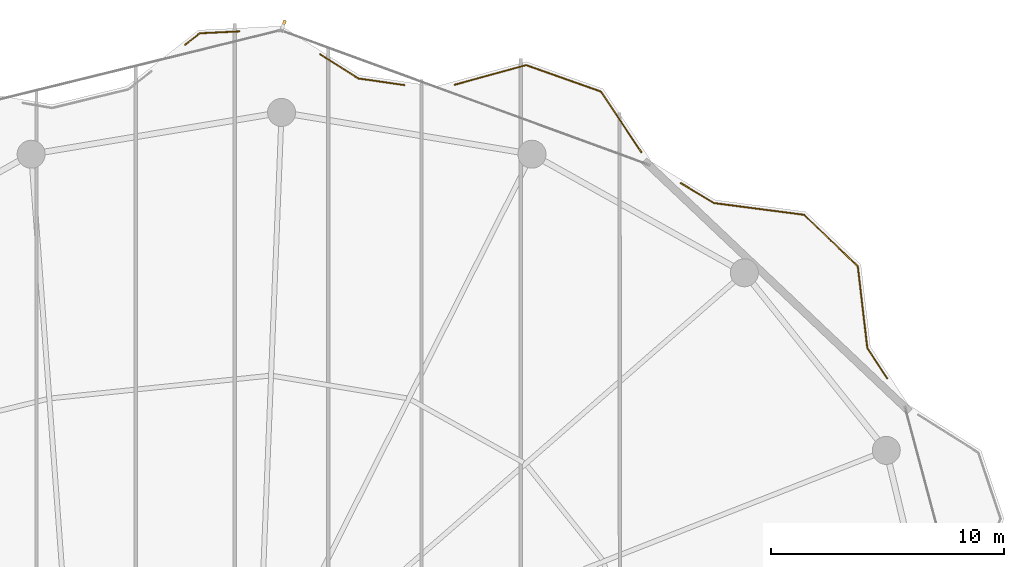
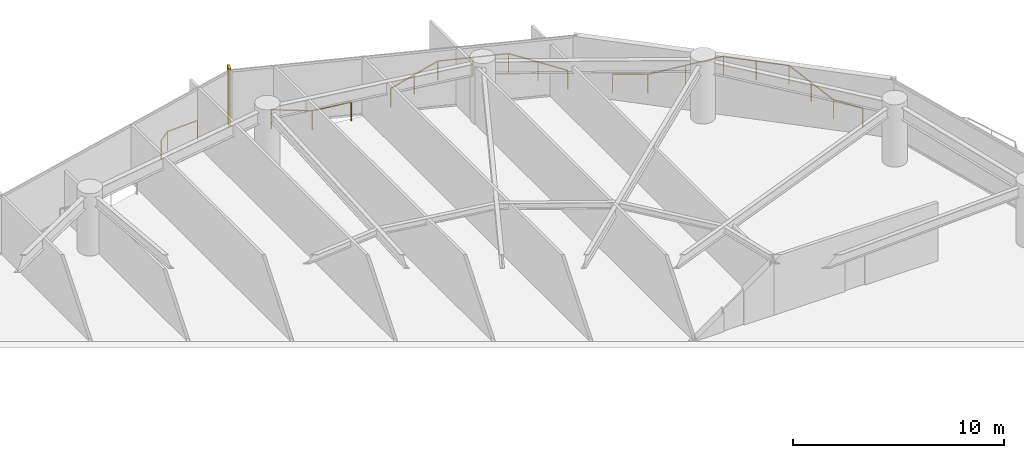
# One storey, part 28 of 28: 4 railings, 1 shading device.
"""IFC4 building model written with IfcOpenShell, lengths in metres."""

from ifc_helpers import new_model, si_unit, direction, frame, origin, origin_2d, place, context, subcontext, project, spatial, rectangle, extrude, material, type_object, element, save


model = new_model("IFC4")

# Units and contexts
model_context = context("Model", 3, precision=1e-05, world=origin(), true_north=direction((0.0, 1.0)))
body_context = subcontext(model_context, "Body", "Model", "MODEL_VIEW")
ifc_project = project(units=[si_unit("LENGTHUNIT", "METRE"), si_unit("AREAUNIT", "SQUARE_METRE"), si_unit("VOLUMEUNIT", "CUBIC_METRE"), si_unit("PLANEANGLEUNIT", "RADIAN"), si_unit("MASSUNIT", "GRAM", prefix="KILO")], contexts=[model_context])

# Site, building, storey
site_placement = place(None, origin())
site = spatial("IfcSite", under=ifc_project, at=site_placement, CompositionType="ELEMENT")
building_placement = place(site_placement, origin())
building = spatial("IfcBuilding", under=site, at=building_placement, Name="Kazevale Care Tower and Concert Hall", CompositionType="ELEMENT")
storey_placement = place(building_placement, frame((0.0, 0.0, 138.60009765625)))
storey = spatial("IfcBuildingStorey", under=building, at=storey_placement, Name="L36", CompositionType="ELEMENT", Elevation=138.60009765625)

# Railings
ifc_material_1 = material(Name="Anodised Bronze Aluminium and Laminated Glass", Category="aluminium")
railing_type = type_object("IfcRailingType", Name="Balcony and Terrace Balustrade 1120", PredefinedType="BALUSTRADE", material=ifc_material_1)
railing_1_placement = place(storey_placement, frame((40.875, 64.35400390625, 0.0)))
element("IfcRailing", 1, at=railing_1_placement, inside=storey, type_object=railing_type, Name="rail:L36:perim:6", PredefinedType="BALUSTRADE", context=body_context, shape_type="SweptSolid", body=[
    extrude(rectangle(XDim=0.048095703125, YDim=0.048095703125, at=origin_2d()), frame((0.0, 0.0, 1.09619140625), z_axis=(0.786296888073, 0.61784885191, 0.0), x_axis=(-0.61784885191, 0.786296888073, 0.0)), (0.0, 0.0, 1.0), 0.789794921875),
    extrude(rectangle(XDim=0.048095703125, YDim=0.048095703125, at=origin_2d()), frame((0.62109375, 0.488037109375, 1.09619140625), z_axis=(0.998846104171, 0.04802562007, 0.0), x_axis=(-0.04802562007, 0.998846104171, 0.0)), (0.0, 0.0, 1.0), 1.687744140625),
    extrude(rectangle(XDim=0.0419921875, YDim=0.0419921875, at=origin_2d()), origin(), (0.0, 0.0, 1.0), 1.072021484375),
    extrude(rectangle(XDim=0.0419921875, YDim=0.0419921875, at=origin_2d()), frame((0.62109375, 0.488037109375, 0.0)), (0.0, 0.0, 1.0), 1.072021484375),
    extrude(rectangle(XDim=0.0419921875, YDim=0.0419921875, at=origin_2d()), frame((2.306884765625, 0.569091796875, 0.0)), (0.0, 0.0, 1.0), 1.072021484375),
])
railing_2_placement = place(storey_placement, frame((46.64794921875, 63.943115234375, 0.0)))
element("IfcRailing", 2, at=railing_2_placement, inside=storey, type_object=railing_type, Name="rail:L36:perim:7", PredefinedType="BALUSTRADE", context=body_context, shape_type="SweptSolid", body=[
    extrude(rectangle(XDim=0.048095703125, YDim=0.048095703125, at=origin_2d()), frame((0.0, 0.0, 1.09619140625), z_axis=(0.845285408951, -0.534315054452, 0.0), x_axis=(0.534315054452, 0.845285408951, 0.0)), (0.0, 0.0, 1.0), 1.939208984375),
    extrude(rectangle(XDim=0.048095703125, YDim=0.048095703125, at=origin_2d()), frame((1.63916015625, -1.0361328125, 1.09619140625), z_axis=(0.989851165492, -0.142107952534, 0.0), x_axis=(0.142107952534, 0.989851165492, 0.0)), (0.0, 0.0, 1.0), 1.9912109375),
    extrude(rectangle(XDim=0.0419921875, YDim=0.0419921875, at=origin_2d()), origin(), (0.0, 0.0, 1.0), 1.072021484375),
    extrude(rectangle(XDim=0.0419921875, YDim=0.0419921875, at=origin_2d()), frame((1.63916015625, -1.0361328125, 0.0)), (0.0, 0.0, 1.0), 1.072021484375),
    extrude(rectangle(XDim=0.0419921875, YDim=0.0419921875, at=origin_2d()), frame((3.610107421875, -1.319091796875, 0.0)), (0.0, 0.0, 1.0), 1.072021484375),
])
railing_3_placement = place(storey_placement, frame((52.426025390625, 62.64111328125, 0.0)))
element("IfcRailing", 3, at=railing_3_placement, inside=storey, type_object=railing_type, Name="rail:L36:perim:8", PredefinedType="BALUSTRADE", context=body_context, shape_type="SweptSolid", body=[
    extrude(rectangle(XDim=0.048095703125, YDim=0.048095703125, at=origin_2d()), frame((0.0, 0.0, 1.09619140625), z_axis=(0.964305315259, 0.264792860484, 0.0), x_axis=(-0.264792860484, 0.964305315259, 0.0)), (0.0, 0.0, 1.0), 3.16796875),
    extrude(rectangle(XDim=0.048095703125, YDim=0.048095703125, at=origin_2d()), frame((3.054931640625, 0.8388671875, 1.09619140625), z_axis=(0.942606504608, -0.333905641567, 0.0), x_axis=(0.333905641567, 0.942606504608, 0.0)), (0.0, 0.0, 1.0), 3.399169921875),
    extrude(rectangle(XDim=0.048095703125, YDim=0.048095703125, at=origin_2d()), frame((6.259033203125, -0.296142578125, 1.09619140625), z_axis=(0.554087210484, -0.832458625505, 0.0), x_axis=(0.832458625505, 0.554087210484, 0.0)), (0.0, 0.0, 1.0), 3.125732421875),
    extrude(rectangle(XDim=0.0419921875, YDim=0.0419921875, at=origin_2d()), origin(), (0.0, 0.0, 1.0), 1.072021484375),
    extrude(rectangle(XDim=0.0419921875, YDim=0.0419921875, at=origin_2d()), frame((1.52734375, 0.41943359375, 0.0)), (0.0, 0.0, 1.0), 1.072021484375),
    extrude(rectangle(XDim=0.0419921875, YDim=0.0419921875, at=origin_2d()), frame((3.054931640625, 0.8388671875, 0.0)), (0.0, 0.0, 1.0), 1.072021484375),
    extrude(rectangle(XDim=0.0419921875, YDim=0.0419921875, at=origin_2d()), frame((4.656982421875, 0.271484375, 0.0)), (0.0, 0.0, 1.0), 1.072021484375),
    extrude(rectangle(XDim=0.0419921875, YDim=0.0419921875, at=origin_2d()), frame((6.259033203125, -0.296142578125, 0.0)), (0.0, 0.0, 1.0), 1.072021484375),
    extrude(rectangle(XDim=0.0419921875, YDim=0.0419921875, at=origin_2d()), frame((7.125, -1.59716796875, 0.0)), (0.0, 0.0, 1.0), 1.072021484375),
    extrude(rectangle(XDim=0.0419921875, YDim=0.0419921875, at=origin_2d()), frame((7.990966796875, -2.898193359375, 0.0)), (0.0, 0.0, 1.0), 1.072021484375),
])
railing_4_placement = place(storey_placement, frame((62.10400390625, 58.425048828125, 0.0)))
element("IfcRailing", 4, at=railing_4_placement, inside=storey, type_object=railing_type, Name="rail:L36:perim:9", PredefinedType="BALUSTRADE", context=body_context, shape_type="SweptSolid", body=[
    extrude(rectangle(XDim=0.048095703125, YDim=0.048095703125, at=origin_2d()), frame((0.0, 0.0, 1.09619140625), z_axis=(0.857286075964, -0.514840348029, 0.0), x_axis=(0.514840348029, 0.857286075964, 0.0)), (0.0, 0.0, 1.0), 1.666748046875),
    extrude(rectangle(XDim=0.048095703125, YDim=0.048095703125, at=origin_2d()), frame((1.428955078125, -0.858154296875, 1.09619140625), z_axis=(0.991624912909, -0.12915119859, 0.0), x_axis=(0.12915119859, 0.991624912909, 0.0)), (0.0, 0.0, 1.0), 3.886474609375),
    extrude(rectangle(XDim=0.048095703125, YDim=0.048095703125, at=origin_2d()), frame((5.282958984375, -1.360107421875, 1.09619140625), z_axis=(0.722483817146, -0.691387831801, 0.0), x_axis=(0.691387831801, 0.722483817146, 0.0)), (0.0, 0.0, 1.0), 3.1875),
    extrude(rectangle(XDim=0.048095703125, YDim=0.048095703125, at=origin_2d()), frame((7.5859375, -3.56396484375, 1.09619140625), z_axis=(0.115399198522, -0.993319195919, 0.0), x_axis=(0.993319195919, 0.115399198522, 0.0)), (0.0, 0.0, 1.0), 3.52685546875),
    extrude(rectangle(XDim=0.048095703125, YDim=0.048095703125, at=origin_2d()), frame((7.992919921875, -7.067138671875, 1.09619140625), z_axis=(0.547143637921, -0.837038732367, 0.0), x_axis=(0.837038732367, 0.547143637921, 0.0)), (0.0, 0.0, 1.0), 1.555419921875),
    extrude(rectangle(XDim=0.0419921875, YDim=0.0419921875, at=origin_2d()), origin(), (0.0, 0.0, 1.0), 1.072021484375),
    extrude(rectangle(XDim=0.0419921875, YDim=0.0419921875, at=origin_2d()), frame((1.428955078125, -0.858154296875, 0.0)), (0.0, 0.0, 1.0), 1.072021484375),
    extrude(rectangle(XDim=0.0419921875, YDim=0.0419921875, at=origin_2d()), frame((3.35595703125, -1.109130859375, 0.0)), (0.0, 0.0, 1.0), 1.072021484375),
    extrude(rectangle(XDim=0.0419921875, YDim=0.0419921875, at=origin_2d()), frame((5.282958984375, -1.360107421875, 0.0)), (0.0, 0.0, 1.0), 1.072021484375),
    extrude(rectangle(XDim=0.0419921875, YDim=0.0419921875, at=origin_2d()), frame((6.4345703125, -2.4619140625, 0.0)), (0.0, 0.0, 1.0), 1.072021484375),
    extrude(rectangle(XDim=0.0419921875, YDim=0.0419921875, at=origin_2d()), frame((7.5859375, -3.56396484375, 0.0)), (0.0, 0.0, 1.0), 1.072021484375),
    extrude(rectangle(XDim=0.0419921875, YDim=0.0419921875, at=origin_2d()), frame((7.78955078125, -5.3154296875, 0.0)), (0.0, 0.0, 1.0), 1.072021484375),
    extrude(rectangle(XDim=0.0419921875, YDim=0.0419921875, at=origin_2d()), frame((7.992919921875, -7.067138671875, 0.0)), (0.0, 0.0, 1.0), 1.072021484375),
    extrude(rectangle(XDim=0.0419921875, YDim=0.0419921875, at=origin_2d()), frame((8.843994140625, -8.369140625, 0.0)), (0.0, 0.0, 1.0), 1.072021484375),
])

# Shading device
ifc_material_2 = material(Name="Honed Ochre Limestone", Category="masonry")
shading_device_type = type_object("IfcShadingDeviceType", Name="Vertical Honed Limestone Fin FIN-01", PredefinedType="USERDEFINED", material=ifc_material_2)
shading_device_placement = place(storey_placement, frame((45.084228515625, 65.21240234375, 0.0), z_axis=(0.0, 0.0, 1.0), x_axis=(0.343167938899, 0.939274063153, 0.0)))
element("IfcShadingDevice", 5, at=shading_device_placement, inside=storey, type_object=shading_device_type, Name="cw:L36:f16:fin", ObjectType="FIN", PredefinedType="USERDEFINED", context=body_context, shape_type="SweptSolid", body=[
    extrude(rectangle(XDim=0.3798828125, YDim=0.1201171875, at=origin_2d()), origin(), (0.0, 0.0, 1.0), 3.360107421875),
])

save(model, "model.ifc")
